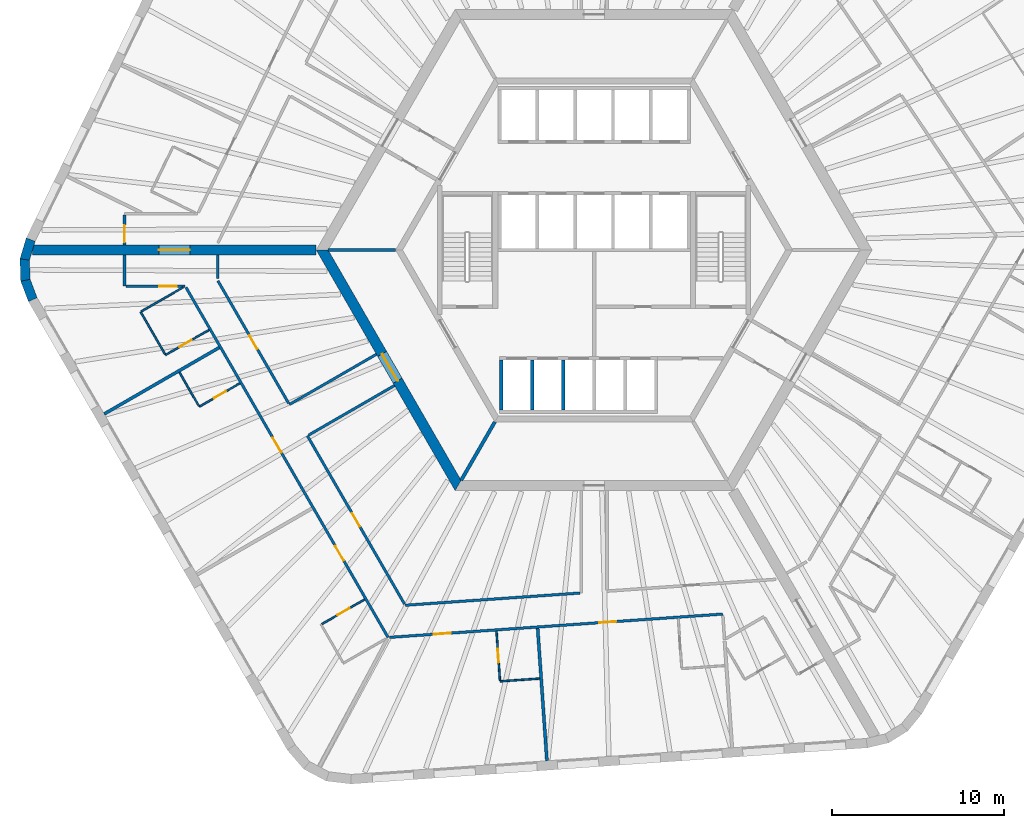
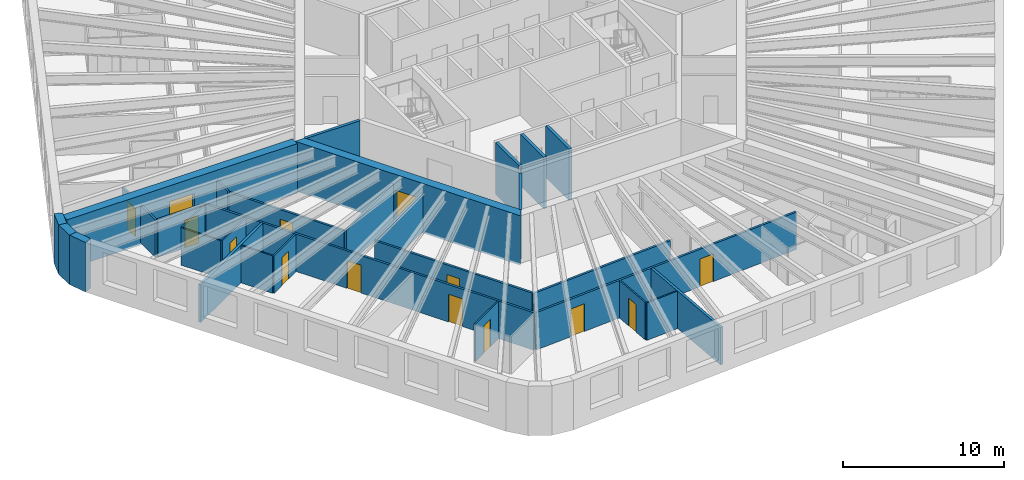
# One storey, part 3 of 12: 31 walls, 14 doors, 14 openings.
"""IFC4 building model written with IfcOpenShell, lengths in metres."""

from ifc_helpers import new_model, si_unit, direction, frame, frame_2d, origin, place, context, subcontext, project, spatial, polyline, rectangle, outline, extrude, material, layer, layer_set, type_object, element, fill, save


model = new_model("IFC4")

# Units and contexts
model_context = context("Model", 3, precision=1e-05, world=origin(), true_north=direction((0.0, 1.0)))
body_context = subcontext(model_context, "Body", "Model", "MODEL_VIEW")
ifc_project = project(units=[si_unit("LENGTHUNIT", "METRE"), si_unit("AREAUNIT", "SQUARE_METRE"), si_unit("VOLUMEUNIT", "CUBIC_METRE"), si_unit("PLANEANGLEUNIT", "RADIAN"), si_unit("MASSUNIT", "GRAM", prefix="KILO")], contexts=[model_context])

# Site, building, storey
site_placement = place(None, origin())
site = spatial("IfcSite", under=ifc_project, at=site_placement, CompositionType="ELEMENT")
building_placement = place(site_placement, origin())
building = spatial("IfcBuilding", under=site, at=building_placement, Name="Tarnside Tower", CompositionType="ELEMENT")
storey_placement = place(building_placement, frame((0.0, 0.0, 142.800048828125)))
storey = spatial("IfcBuildingStorey", under=building, at=storey_placement, Name="L33", CompositionType="ELEMENT", Elevation=142.800048828125)

# Wall, opening, door
ifc_material_1 = material(Name="Gypsum board partition on steel studs", Category="steel")
ifc_layer_1 = layer(ifc_material_1, 0.10009765625)
ifc_layer_set_1 = layer_set([ifc_layer_1], Name="Bathroom wall 100")
wall_type_1 = type_object("IfcWallType", Name="Bathroom wall 100", PredefinedType="PARTITIONING", material=ifc_layer_set_1)
wall_1_placement = place(storey_placement, frame((-22.40185546875, -4.64892578125, 0.0), z_axis=(0.0, 0.0, 1.0), x_axis=(-0.865989585315, -0.500062034277, 0.0)))
wall_1 = element("IfcWall", 1, at=wall_1_placement, inside=storey, type_object=wall_type_1, Name="Bathroom wall 10109", PredefinedType="PARTITIONING", context=body_context, shape_type="SweptSolid", body=[
    extrude(rectangle(XDim=2.925048828125, YDim=0.10009765625, at=frame_2d((1.46240234375, 0.0))), origin(), (0.0, 0.0, 1.0), 2.837646484375),
])
opening_1_placement = place(wall_1_placement, frame((1.175048828125, 0.0, 0.0)))
opening_1 = element("IfcOpeningElement", 2, at=opening_1_placement, cuts=wall_1, Name="Opening D-B1", PredefinedType="OPENING", context=body_context, shape_type="SweptSolid", body=[
    extrude(rectangle(XDim=0.800048828125, YDim=2.10009765625, at=frame_2d((0.39990234375, 1.050048828125))), frame((0.0, 0.06005859375, 0.0), z_axis=(0.0, -1.0, 0.0), x_axis=(1.0, 0.0, 0.0)), (0.0, 0.0, 1.0), 0.1201171875),
])
ifc_material_2 = material(Name="Timber door leaf", Category="wood")
door_type_1 = type_object("IfcDoorType", Name="Bathroom door 800", OperationType="NOTDEFINED", PredefinedType="DOOR", material=ifc_material_2)
door_1_placement = place(opening_1_placement, origin())
door_1 = element("IfcDoor", 3, at=door_1_placement, inside=storey, type_object=door_type_1, Name="Bathroom door 10018", OperationType="SINGLE_SWING_LEFT", OverallHeight=2.10009765625, OverallWidth=0.800048828125, PredefinedType="DOOR", context=body_context, shape_type="SweptSolid", body=[
    extrude(rectangle(XDim=0.800048828125, YDim=2.10009765625, at=frame_2d((0.39990234375, 1.050048828125))), frame((0.0, 0.02490234375, 0.0), z_axis=(0.0, -1.0, 0.0), x_axis=(1.0, 0.0, 0.0)), (0.0, 0.0, 1.0), 0.050048828125),
])
fill(opening_1, door_1)

# Walls
wall_2_placement = place(storey_placement, frame((-24.9599609375, -6.068115234375, 0.0), z_axis=(0.0, 0.0, 1.0), x_axis=(-0.500036373335, 0.866004402611, 0.0)))
element("IfcWall", 4, at=wall_2_placement, inside=storey, type_object=wall_type_1, Name="Bathroom wall 10110", PredefinedType="PARTITIONING", context=body_context, shape_type="SweptSolid", body=[
    extrude(rectangle(XDim=2.849853515625, YDim=0.10009765625, at=frame_2d((1.4248046875, 0.0))), origin(), (0.0, 0.0, 1.0), 2.837646484375),
])
wall_3_placement = place(storey_placement, frame((-26.341552734375, -3.574951171875, 0.0), z_axis=(0.0, 0.0, 1.0), x_axis=(0.866034573852, 0.49998411664, 0.0)))
element("IfcWall", 5, at=wall_3_placement, inside=storey, type_object=wall_type_1, Name="Bathroom wall 10111", PredefinedType="PARTITIONING", context=body_context, shape_type="SweptSolid", body=[
    extrude(rectangle(XDim=2.7998046875, YDim=0.10009765625, at=frame_2d((1.39990234375, 0.0))), origin(), (0.0, 0.0, 1.0), 2.837646484375),
])

# Wall, opening, door
wall_4_placement = place(storey_placement, frame((-20.60888671875, -7.75439453125, 0.0), z_axis=(0.0, 0.0, 1.0), x_axis=(-0.866012511928, -0.500022328685, 0.0)))
wall_4 = element("IfcWall", 6, at=wall_4_placement, inside=storey, type_object=wall_type_1, Name="Bathroom wall 10114", PredefinedType="PARTITIONING", context=body_context, shape_type="SweptSolid", body=[
    extrude(rectangle(XDim=2.72509765625, YDim=0.10009765625, at=frame_2d((1.362548828125, 0.0))), origin(), (0.0, 0.0, 1.0), 2.837646484375),
])
opening_2_placement = place(wall_4_placement, frame((0.925048828125, 0.0, 0.0)))
opening_2 = element("IfcOpeningElement", 7, at=opening_2_placement, cuts=wall_4, Name="Opening D-B1", PredefinedType="OPENING", context=body_context, shape_type="SweptSolid", body=[
    extrude(rectangle(XDim=0.800048828125, YDim=2.10009765625, at=frame_2d((0.39990234375, 1.050048828125))), frame((0.0, 0.06005859375, 0.0), z_axis=(0.0, -1.0, 0.0), x_axis=(1.0, 0.0, 0.0)), (0.0, 0.0, 1.0), 0.1201171875),
])
door_2_placement = place(opening_2_placement, origin())
door_2 = element("IfcDoor", 8, at=door_2_placement, inside=storey, type_object=door_type_1, Name="Bathroom door 10020", OperationType="SINGLE_SWING_RIGHT", OverallHeight=2.10009765625, OverallWidth=0.800048828125, PredefinedType="DOOR", context=body_context, shape_type="SweptSolid", body=[
    extrude(rectangle(XDim=0.800048828125, YDim=2.10009765625, at=frame_2d((0.39990234375, 1.050048828125))), frame((0.0, 0.02490234375, 0.0), z_axis=(0.0, -1.0, 0.0), x_axis=(1.0, 0.0, 0.0)), (0.0, 0.0, 1.0), 0.050048828125),
])
fill(opening_2, door_2)

# Wall
wall_5_placement = place(storey_placement, frame((-22.993896484375, -9.073486328125, 0.0), z_axis=(0.0, 0.0, 1.0), x_axis=(-0.4999967785, 0.866027263711, 0.0)))
element("IfcWall", 9, at=wall_5_placement, inside=storey, type_object=wall_type_1, Name="Bathroom wall 10115", PredefinedType="PARTITIONING", context=body_context, shape_type="SweptSolid", body=[
    extrude(rectangle(XDim=2.259765625, YDim=0.10009765625, at=frame_2d((1.1298828125, 0.0))), origin(), (0.0, 0.0, 1.0), 2.837646484375),
])

# Wall, opening, door
wall_6_placement = place(storey_placement, frame((-15.840087890625, -21.764404296875, 0.0), z_axis=(0.0, 0.0, 1.0), x_axis=(0.866039941686, 0.499974818771, 0.0)))
wall_6 = element("IfcWall", 10, at=wall_6_placement, inside=storey, type_object=wall_type_1, Name="Bathroom wall 10119", PredefinedType="PARTITIONING", context=body_context, shape_type="SweptSolid", body=[
    extrude(rectangle(XDim=2.875244140625, YDim=0.10009765625, at=frame_2d((1.4375, 0.0))), origin(), (0.0, 0.0, 1.0), 2.837646484375),
])
opening_3_placement = place(wall_6_placement, frame((1.050048828125, 0.0, 0.0)))
opening_3 = element("IfcOpeningElement", 11, at=opening_3_placement, cuts=wall_6, Name="Opening D-B1", PredefinedType="OPENING", context=body_context, shape_type="SweptSolid", body=[
    extrude(rectangle(XDim=0.800048828125, YDim=2.10009765625, at=frame_2d((0.39990234375, 1.050048828125))), frame((0.0, 0.06005859375, 0.0), z_axis=(0.0, -1.0, 0.0), x_axis=(1.0, 0.0, 0.0)), (0.0, 0.0, 1.0), 0.1201171875),
])
door_3_placement = place(opening_3_placement, origin())
door_3 = element("IfcDoor", 12, at=door_3_placement, inside=storey, type_object=door_type_1, Name="Bathroom door 10022", OperationType="SINGLE_SWING_LEFT", OverallHeight=2.10009765625, OverallWidth=0.800048828125, PredefinedType="DOOR", context=body_context, shape_type="SweptSolid", body=[
    extrude(rectangle(XDim=0.800048828125, YDim=2.10009765625, at=frame_2d((0.39990234375, 1.050048828125))), frame((0.0, 0.02490234375, 0.0), z_axis=(0.0, -1.0, 0.0), x_axis=(1.0, 0.0, 0.0)), (0.0, 0.0, 1.0), 0.050048828125),
])
fill(opening_3, door_3)

# Wall
wall_7_placement = place(storey_placement, frame((-3.169677734375, -24.931884765625, 0.0), z_axis=(0.0, 0.0, 1.0), x_axis=(-0.997564338377, -0.069752353356, 0.0)))
element("IfcWall", 13, at=wall_7_placement, inside=storey, type_object=wall_type_1, Name="Bathroom wall 10121", PredefinedType="PARTITIONING", context=body_context, shape_type="SweptSolid", body=[
    extrude(rectangle(XDim=2.31005859375, YDim=0.10009765625, at=frame_2d((1.155029296875, 0.0))), origin(), (0.0, 0.0, 1.0), 2.837646484375),
])

# Wall, opening, door
wall_8_placement = place(storey_placement, frame((-5.4775390625, -25.043212890625, 0.0), z_axis=(0.0, 0.0, 1.0), x_axis=(-0.069714207611, 0.997567004896, 0.0)))
wall_8 = element("IfcWall", 14, at=wall_8_placement, inside=storey, type_object=wall_type_1, Name="Bathroom wall 10122", PredefinedType="PARTITIONING", context=body_context, shape_type="SweptSolid", body=[
    extrude(rectangle(XDim=2.875244140625, YDim=0.10009765625, at=frame_2d((1.4375, 0.0))), origin(), (0.0, 0.0, 1.0), 2.837646484375),
])
opening_4_placement = place(wall_8_placement, frame((1.050048828125, 0.0, 0.0)))
opening_4 = element("IfcOpeningElement", 15, at=opening_4_placement, cuts=wall_8, Name="Opening D-B1", PredefinedType="OPENING", context=body_context, shape_type="SweptSolid", body=[
    extrude(rectangle(XDim=0.800048828125, YDim=2.10009765625, at=frame_2d((0.39990234375, 1.050048828125))), frame((0.0, 0.06005859375, 0.0), z_axis=(0.0, -1.0, 0.0), x_axis=(1.0, 0.0, 0.0)), (0.0, 0.0, 1.0), 0.1201171875),
])
door_4_placement = place(opening_4_placement, origin())
door_4 = element("IfcDoor", 16, at=door_4_placement, inside=storey, type_object=door_type_1, Name="Bathroom door 10024", OperationType="SINGLE_SWING_LEFT", OverallHeight=2.10009765625, OverallWidth=0.800048828125, PredefinedType="DOOR", context=body_context, shape_type="SweptSolid", body=[
    extrude(rectangle(XDim=0.800048828125, YDim=2.10009765625, at=frame_2d((0.39990234375, 1.050048828125))), frame((0.0, 0.02490234375, 0.0), z_axis=(0.0, -1.0, 0.0), x_axis=(1.0, 0.0, 0.0)), (0.0, 0.0, 1.0), 0.050048828125),
])
fill(opening_4, door_4)

ifc_material_3 = material(Name="Concrete C80/95", Category="concrete")
ifc_layer_2 = layer(ifc_material_3, 0.60009765625)
ifc_layer_set_2 = layer_set([ifc_layer_2], Name="Core wall Z1 600 C80/95")
wall_type_2 = type_object("IfcWallType", Name="Core wall Z1 600 C80/95", PredefinedType="SHEAR", material=ifc_layer_set_2)
wall_9_placement = place(storey_placement, frame((-15.8193359375, 0.0, -0.150146484375), z_axis=(0.0, 0.0, 1.0), x_axis=(0.499999880136, -0.866025472988, 0.0)))
wall_9 = element("IfcWall", 17, at=wall_9_placement, inside=storey, type_object=wall_type_2, Name="L33 core wall face 3", PredefinedType="SHEAR", context=body_context, shape_type="SweptSolid", body=[
    extrude(outline(polyline([(-0.17333984375, -0.300048828125), (15.99267578125, -0.300048828125), (15.64599609375, 0.300048828125), (0.17333984375, 0.300048828125), (-0.17333984375, -0.300048828125)])), origin(), (0.0, 0.0, 1.0), 3.75),
])
opening_5_placement = place(wall_9_placement, frame((6.980712890625, 0.0, 0.14990234375)))
opening_5 = element("IfcOpeningElement", 18, at=opening_5_placement, cuts=wall_9, Name="Opening CD-FFL", PredefinedType="OPENING", context=body_context, shape_type="SweptSolid", body=[
    extrude(rectangle(XDim=1.800048828125, YDim=2.39990234375, at=frame_2d((0.89990234375, 1.199951171875))), frame((0.0, 0.31005859375, 0.0), z_axis=(0.0, -1.0, 0.0), x_axis=(1.0, 0.0, 0.0)), (0.0, 0.0, 1.0), 0.6201171875),
])
ifc_material_4 = material(Name="Steel fire door", Category="steel")
door_type_2 = type_object("IfcDoorType", Name="Firefighting lobby double door FD60S 1800x2400", OperationType="NOTDEFINED", PredefinedType="DOOR", material=ifc_material_4)
door_5_placement = place(opening_5_placement, origin())
door_5 = element("IfcDoor", 19, at=door_5_placement, inside=storey, type_object=door_type_2, Name="L33 core door P3", OperationType="DOUBLE_DOOR_SINGLE_SWING", OverallHeight=2.39990234375, OverallWidth=1.800048828125, PredefinedType="DOOR", context=body_context, shape_type="SweptSolid", body=[
    extrude(rectangle(XDim=1.800048828125, YDim=2.39990234375, at=frame_2d((0.89990234375, 1.199951171875))), frame((0.0, 0.02490234375, 0.0), z_axis=(0.0, -1.0, 0.0), x_axis=(1.0, 0.0, 0.0)), (0.0, 0.0, 1.0), 0.050048828125),
])
fill(opening_5, door_5)

wall_10_placement = place(storey_placement, frame((-16.165771484375, 0.0, -0.150146484375), z_axis=(0.0, 0.0, 1.0), x_axis=(-1.0, 0.0, 0.0)))
wall_10 = element("IfcWall", 20, at=wall_10_placement, inside=storey, type_object=wall_type_2, Name="L33 spine wall 2", PredefinedType="SHEAR", context=body_context, shape_type="SweptSolid", body=[
    extrude(rectangle(XDim=16.509033203125, YDim=0.60009765625, at=frame_2d((8.25439453125, 0.0))), origin(), (0.0, 0.0, 1.0), 3.75),
])
opening_6_placement = place(wall_10_placement, frame((7.3544921875, 0.0, 0.14990234375)))
opening_6 = element("IfcOpeningElement", 21, at=opening_6_placement, cuts=wall_10, Name="Opening CD-SPN", PredefinedType="OPENING", context=body_context, shape_type="SweptSolid", body=[
    extrude(rectangle(XDim=1.800048828125, YDim=2.39990234375, at=frame_2d((0.89990234375, 1.199951171875))), frame((0.0, 0.31005859375, 0.0), z_axis=(0.0, -1.0, 0.0), x_axis=(1.0, 0.0, 0.0)), (0.0, 0.0, 1.0), 0.6201171875),
])
door_type_3 = type_object("IfcDoorType", Name="Spine passage double door FD60 1800x2400", OperationType="NOTDEFINED", PredefinedType="DOOR", material=ifc_material_4)
door_6_placement = place(opening_6_placement, origin())
door_6 = element("IfcDoor", 22, at=door_6_placement, inside=storey, type_object=door_type_3, Name="L33 spine passage door 2", OperationType="DOUBLE_DOOR_SINGLE_SWING", OverallHeight=2.39990234375, OverallWidth=1.800048828125, PredefinedType="DOOR", context=body_context, shape_type="SweptSolid", body=[
    extrude(rectangle(XDim=1.800048828125, YDim=2.39990234375, at=frame_2d((0.89990234375, 1.199951171875))), frame((0.0, 0.02490234375, 0.0), z_axis=(0.0, -1.0, 0.0), x_axis=(1.0, 0.0, 0.0)), (0.0, 0.0, 1.0), 0.050048828125),
])
fill(opening_6, door_6)

ifc_layer_3 = layer(ifc_material_1, 0.14990234375)
ifc_layer_set_3 = layer_set([ifc_layer_3], Name="Corridor wall 150 EI 60")
wall_type_3 = type_object("IfcWallType", Name="Corridor wall 150 EI 60", PredefinedType="PARTITIONING", material=ifc_layer_set_3)
wall_11_placement = place(storey_placement, frame((-27.3203125, 2.02490234375, 0.0), z_axis=(0.0, 0.0, 1.0), x_axis=(0.0, -1.0, 0.0)))
wall_11 = element("IfcWall", 23, at=wall_11_placement, inside=storey, type_object=wall_type_3, Name="Corridor wall 10015", PredefinedType="PARTITIONING", context=body_context, shape_type="SweptSolid", body=[
    extrude(rectangle(XDim=1.724853515625, YDim=0.14990234375, at=frame_2d((0.8623046875, 0.0))), origin(), (0.0, 0.0, 1.0), 2.837646484375),
])
opening_7_placement = place(wall_11_placement, frame((0.574951171875, 0.0, 0.0)))
opening_7 = element("IfcOpeningElement", 24, at=opening_7_placement, cuts=wall_11, Name="Opening D-E1", PredefinedType="OPENING", context=body_context, shape_type="SweptSolid", body=[
    extrude(rectangle(XDim=1.0, YDim=2.10009765625, at=frame_2d((0.5, 1.050048828125))), frame((0.0, 0.0849609375, 0.0), z_axis=(0.0, -1.0, 0.0), x_axis=(1.0, 0.0, 0.0)), (0.0, 0.0, 1.0), 0.169921875),
])
door_type_4 = type_object("IfcDoorType", Name="Unit entrance door 1000 FD30S", OperationType="NOTDEFINED", PredefinedType="DOOR", material=ifc_material_2)
door_7_placement = place(opening_7_placement, origin())
door_7 = element("IfcDoor", 25, at=door_7_placement, inside=storey, type_object=door_type_4, Name="Unit door 10016", OperationType="SINGLE_SWING_LEFT", OverallHeight=2.10009765625, OverallWidth=1.0, PredefinedType="DOOR", context=body_context, shape_type="SweptSolid", body=[
    extrude(rectangle(XDim=1.0, YDim=2.10009765625, at=frame_2d((0.5, 1.050048828125))), frame((0.0, 0.02490234375, 0.0), z_axis=(0.0, -1.0, 0.0), x_axis=(1.0, 0.0, 0.0)), (0.0, 0.0, 1.0), 0.050048828125),
])
fill(opening_7, door_7)

# Wall
wall_12_placement = place(storey_placement, frame((-27.3203125, -0.300048828125, 0.0), z_axis=(0.0, 0.0, 1.0), x_axis=(0.0, -1.0, 0.0)))
element("IfcWall", 26, at=wall_12_placement, inside=storey, type_object=wall_type_3, Name="Corridor wall 10025", PredefinedType="PARTITIONING", context=body_context, shape_type="SweptSolid", body=[
    extrude(rectangle(XDim=1.800048828125, YDim=0.14990234375, at=frame_2d((0.89990234375, 0.0))), origin(), (0.0, 0.0, 1.0), 2.837646484375),
])

# Wall, opening, door
wall_13_placement = place(storey_placement, frame((-27.245361328125, -2.10009765625, 0.0), z_axis=(0.0, 0.0, 1.0), x_axis=(1.0, 0.0, 0.0)))
wall_13 = element("IfcWall", 27, at=wall_13_placement, inside=storey, type_object=wall_type_3, Name="Corridor wall 10026", PredefinedType="PARTITIONING", context=body_context, shape_type="SweptSolid", body=[
    extrude(rectangle(XDim=3.45849609375, YDim=0.14990234375, at=frame_2d((1.729248046875, 0.0))), origin(), (0.0, 0.0, 1.0), 2.837646484375),
])
opening_8_placement = place(wall_13_placement, frame((1.95849609375, 0.0, 0.0)))
opening_8 = element("IfcOpeningElement", 28, at=opening_8_placement, cuts=wall_13, Name="Opening D-E1", PredefinedType="OPENING", context=body_context, shape_type="SweptSolid", body=[
    extrude(rectangle(XDim=1.0, YDim=2.10009765625, at=frame_2d((0.5, 1.050048828125))), frame((0.0, 0.0849609375, 0.0), z_axis=(0.0, -1.0, 0.0), x_axis=(1.0, 0.0, 0.0)), (0.0, 0.0, 1.0), 0.169921875),
])
door_8_placement = place(opening_8_placement, origin())
door_8 = element("IfcDoor", 29, at=door_8_placement, inside=storey, type_object=door_type_4, Name="Unit door 10017", OperationType="SINGLE_SWING_LEFT", OverallHeight=2.10009765625, OverallWidth=1.0, PredefinedType="DOOR", context=body_context, shape_type="SweptSolid", body=[
    extrude(rectangle(XDim=1.0, YDim=2.10009765625, at=frame_2d((0.5, 1.050048828125))), frame((0.0, 0.02490234375, 0.0), z_axis=(0.0, -1.0, 0.0), x_axis=(1.0, 0.0, 0.0)), (0.0, 0.0, 1.0), 0.050048828125),
])
fill(opening_8, door_8)

# Wall, openings, doors
wall_14_placement = place(storey_placement, frame((-23.743408203125, -2.175048828125, 0.0), z_axis=(0.0, 0.0, 1.0), x_axis=(0.499992353047, -0.86602981871, 0.0)))
wall_14 = element("IfcWall", 30, at=wall_14_placement, inside=storey, type_object=wall_type_3, Name="Corridor wall 10027", PredefinedType="PARTITIONING", context=body_context, shape_type="SweptSolid", body=[
    extrude(rectangle(XDim=23.516357421875, YDim=0.14990234375, at=frame_2d((11.75830078125, 0.0))), origin(), (0.0, 0.0, 1.0), 2.837646484375),
])
opening_9_placement = place(wall_14_placement, frame((10.09912109375, 0.0, 0.0)))
opening_9 = element("IfcOpeningElement", 31, at=opening_9_placement, cuts=wall_14, Name="Opening D-E1", PredefinedType="OPENING", context=body_context, shape_type="SweptSolid", body=[
    extrude(rectangle(XDim=1.0, YDim=2.10009765625, at=frame_2d((0.5, 1.050048828125))), frame((0.0, 0.0849609375, 0.0), z_axis=(0.0, -1.0, 0.0), x_axis=(1.0, 0.0, 0.0)), (0.0, 0.0, 1.0), 0.169921875),
])
opening_10_placement = place(wall_14_placement, frame((17.35791015625, 0.0, 0.0)))
opening_10 = element("IfcOpeningElement", 32, at=opening_10_placement, cuts=wall_14, Name="Opening D-E1", PredefinedType="OPENING", context=body_context, shape_type="SweptSolid", body=[
    extrude(rectangle(XDim=1.0, YDim=2.10009765625, at=frame_2d((0.5, 1.050048828125))), frame((0.0, 0.0849609375, 0.0), z_axis=(0.0, -1.0, 0.0), x_axis=(1.0, 0.0, 0.0)), (0.0, 0.0, 1.0), 0.169921875),
])
door_9_placement = place(opening_9_placement, origin())
door_9 = element("IfcDoor", 33, at=door_9_placement, inside=storey, type_object=door_type_4, Name="Unit door 10019", OperationType="SINGLE_SWING_LEFT", OverallHeight=2.10009765625, OverallWidth=1.0, PredefinedType="DOOR", context=body_context, shape_type="SweptSolid", body=[
    extrude(rectangle(XDim=1.0, YDim=2.10009765625, at=frame_2d((0.5, 1.050048828125))), frame((0.0, 0.02490234375, 0.0), z_axis=(0.0, -1.0, 0.0), x_axis=(1.0, 0.0, 0.0)), (0.0, 0.0, 1.0), 0.050048828125),
])
fill(opening_9, door_9)
door_10_placement = place(opening_10_placement, origin())
door_10 = element("IfcDoor", 34, at=door_10_placement, inside=storey, type_object=door_type_4, Name="Unit door 10021", OperationType="SINGLE_SWING_RIGHT", OverallHeight=2.10009765625, OverallWidth=1.0, PredefinedType="DOOR", context=body_context, shape_type="SweptSolid", body=[
    extrude(rectangle(XDim=1.0, YDim=2.10009765625, at=frame_2d((0.5, 1.050048828125))), frame((0.0, 0.02490234375, 0.0), z_axis=(0.0, -1.0, 0.0), x_axis=(1.0, 0.0, 0.0)), (0.0, 0.0, 1.0), 0.050048828125),
])
fill(opening_10, door_10)

wall_15_placement = place(storey_placement, frame((-11.902099609375, -22.53515625, 0.0), z_axis=(0.0, 0.0, 1.0), x_axis=(0.997563830208, 0.069759620556, 0.0)))
wall_15 = element("IfcWall", 35, at=wall_15_placement, inside=storey, type_object=wall_type_3, Name="Corridor wall 10033", PredefinedType="PARTITIONING", context=body_context, shape_type="SweptSolid", body=[
    extrude(rectangle(XDim=19.43408203125, YDim=0.14990234375, at=frame_2d((9.717041015625, 0.0))), origin(), (0.0, 0.0, 1.0), 2.837646484375),
])
opening_11_placement = place(wall_15_placement, frame((2.5751953125, 0.0, 0.0)))
opening_11 = element("IfcOpeningElement", 36, at=opening_11_placement, cuts=wall_15, Name="Opening D-E1", PredefinedType="OPENING", context=body_context, shape_type="SweptSolid", body=[
    extrude(rectangle(XDim=1.0, YDim=2.10009765625, at=frame_2d((0.5, 1.050048828125))), frame((0.0, 0.0849609375, 0.0), z_axis=(0.0, -1.0, 0.0), x_axis=(1.0, 0.0, 0.0)), (0.0, 0.0, 1.0), 0.169921875),
])
opening_12_placement = place(wall_15_placement, frame((12.23388671875, 0.0, 0.0)))
opening_12 = element("IfcOpeningElement", 37, at=opening_12_placement, cuts=wall_15, Name="Opening D-E1", PredefinedType="OPENING", context=body_context, shape_type="SweptSolid", body=[
    extrude(rectangle(XDim=1.0, YDim=2.10009765625, at=frame_2d((0.5, 1.050048828125))), frame((0.0, 0.0849609375, 0.0), z_axis=(0.0, -1.0, 0.0), x_axis=(1.0, 0.0, 0.0)), (0.0, 0.0, 1.0), 0.169921875),
])
door_11_placement = place(opening_11_placement, origin())
door_11 = element("IfcDoor", 38, at=door_11_placement, inside=storey, type_object=door_type_4, Name="Unit door 10023", OperationType="SINGLE_SWING_RIGHT", OverallHeight=2.10009765625, OverallWidth=1.0, PredefinedType="DOOR", context=body_context, shape_type="SweptSolid", body=[
    extrude(rectangle(XDim=1.0, YDim=2.10009765625, at=frame_2d((0.5, 1.050048828125))), frame((0.0, 0.02490234375, 0.0), z_axis=(0.0, -1.0, 0.0), x_axis=(1.0, 0.0, 0.0)), (0.0, 0.0, 1.0), 0.050048828125),
])
fill(opening_11, door_11)
door_12_placement = place(opening_12_placement, origin())
door_12 = element("IfcDoor", 39, at=door_12_placement, inside=storey, type_object=door_type_4, Name="Unit door 10025", OperationType="SINGLE_SWING_LEFT", OverallHeight=2.10009765625, OverallWidth=1.0, PredefinedType="DOOR", context=body_context, shape_type="SweptSolid", body=[
    extrude(rectangle(XDim=1.0, YDim=2.10009765625, at=frame_2d((0.5, 1.050048828125))), frame((0.0, 0.02490234375, 0.0), z_axis=(0.0, -1.0, 0.0), x_axis=(1.0, 0.0, 0.0)), (0.0, 0.0, 1.0), 0.050048828125),
])
fill(opening_12, door_12)

# Wall
wall_16_placement = place(storey_placement, frame((-12.663818359375, -6.065673828125, 0.0), z_axis=(0.0, 0.0, 1.0), x_axis=(-0.866018092707, -0.500012662943, 0.0)))
element("IfcWall", 40, at=wall_16_placement, inside=storey, type_object=wall_type_3, Name="Corridor wall 10042", PredefinedType="PARTITIONING", context=body_context, shape_type="SweptSolid", body=[
    extrude(rectangle(XDim=5.849853515625, YDim=0.14990234375, at=frame_2d((2.9248046875, 0.0))), origin(), (0.0, 0.0, 1.0), 2.837646484375),
])

# Wall, opening, door
wall_17_placement = place(storey_placement, frame((-17.767578125, -8.92578125, 0.0), z_axis=(0.0, 0.0, 1.0), x_axis=(-0.499997033681, 0.866027116383, 0.0)))
wall_17 = element("IfcWall", 41, at=wall_17_placement, inside=storey, type_object=wall_type_3, Name="Corridor wall 10043", PredefinedType="PARTITIONING", context=body_context, shape_type="SweptSolid", body=[
    extrude(rectangle(XDim=8.2353515625, YDim=0.14990234375, at=frame_2d((4.11767578125, 0.0))), origin(), (0.0, 0.0, 1.0), 2.837646484375),
])
opening_13_placement = place(wall_17_placement, frame((3.667724609375, 0.0, 0.0)))
opening_13 = element("IfcOpeningElement", 42, at=opening_13_placement, cuts=wall_17, Name="Opening D-S1", PredefinedType="OPENING", context=body_context, shape_type="SweptSolid", body=[
    extrude(rectangle(XDim=0.89990234375, YDim=2.10009765625, at=frame_2d((0.449951171875, 1.050048828125))), frame((0.0, 0.0849609375, 0.0), z_axis=(0.0, -1.0, 0.0), x_axis=(1.0, 0.0, 0.0)), (0.0, 0.0, 1.0), 0.169921875),
])
door_type_5 = type_object("IfcDoorType", Name="Service room door 900 FD30S", OperationType="NOTDEFINED", PredefinedType="DOOR", material=ifc_material_2)
door_13_placement = place(opening_13_placement, origin())
door_13 = element("IfcDoor", 43, at=door_13_placement, inside=storey, type_object=door_type_5, Name="Service door 10045", OperationType="SINGLE_SWING_RIGHT", OverallHeight=2.10009765625, OverallWidth=0.89990234375, PredefinedType="DOOR", context=body_context, shape_type="SweptSolid", body=[
    extrude(rectangle(XDim=0.89990234375, YDim=2.10009765625, at=frame_2d((0.449951171875, 1.050048828125))), frame((0.0, 0.02490234375, 0.0), z_axis=(0.0, -1.0, 0.0), x_axis=(1.0, 0.0, 0.0)), (0.0, 0.0, 1.0), 0.050048828125),
])
fill(opening_13, door_13)

# Walls
wall_18_placement = place(storey_placement, frame((-21.88525390625, -1.643798828125, 0.0), z_axis=(0.0, 0.0, 1.0), x_axis=(0.0, 1.0, 0.0)))
element("IfcWall", 44, at=wall_18_placement, inside=storey, type_object=wall_type_3, Name="Corridor wall 10044", PredefinedType="PARTITIONING", context=body_context, shape_type="SweptSolid", body=[
    extrude(rectangle(XDim=1.34375, YDim=0.14990234375, at=frame_2d((0.671875, 0.0))), origin(), (0.0, 0.0, 1.0), 2.837646484375),
])
wall_19_placement = place(storey_placement, frame((-0.824951171875, -19.9560546875, 0.0), z_axis=(0.0, 0.0, 1.0), x_axis=(-0.997562587881, -0.069777383582, 0.0)))
element("IfcWall", 45, at=wall_19_placement, inside=storey, type_object=wall_type_3, Name="Corridor wall 10046", PredefinedType="PARTITIONING", context=body_context, shape_type="SweptSolid", body=[
    extrude(rectangle(XDim=10.188720703125, YDim=0.14990234375, at=frame_2d((5.09423828125, 0.0))), origin(), (0.0, 0.0, 1.0), 2.837646484375),
])

# Wall, opening, door
wall_20_placement = place(storey_placement, frame((-11.030517578125, -20.5947265625, 0.0), z_axis=(0.0, 0.0, 1.0), x_axis=(-0.499987422378, 0.866032665356, 0.0)))
wall_20 = element("IfcWall", 46, at=wall_20_placement, inside=storey, type_object=wall_type_3, Name="Corridor wall 10047", PredefinedType="PARTITIONING", context=body_context, shape_type="SweptSolid", body=[
    extrude(rectangle(XDim=11.299072265625, YDim=0.14990234375, at=frame_2d((5.6494140625, 0.0))), origin(), (0.0, 0.0, 1.0), 2.837646484375),
])
opening_14_placement = place(wall_20_placement, frame((5.199462890625, 0.0, 0.0)))
opening_14 = element("IfcOpeningElement", 47, at=opening_14_placement, cuts=wall_20, Name="Opening D-S1", PredefinedType="OPENING", context=body_context, shape_type="SweptSolid", body=[
    extrude(rectangle(XDim=0.89990234375, YDim=2.10009765625, at=frame_2d((0.449951171875, 1.050048828125))), frame((0.0, 0.0849609375, 0.0), z_axis=(0.0, -1.0, 0.0), x_axis=(1.0, 0.0, 0.0)), (0.0, 0.0, 1.0), 0.169921875),
])
door_14_placement = place(opening_14_placement, origin())
door_14 = element("IfcDoor", 48, at=door_14_placement, inside=storey, type_object=door_type_5, Name="Service door 10046", OperationType="SINGLE_SWING_RIGHT", OverallHeight=2.10009765625, OverallWidth=0.89990234375, PredefinedType="DOOR", context=body_context, shape_type="SweptSolid", body=[
    extrude(rectangle(XDim=0.89990234375, YDim=2.10009765625, at=frame_2d((0.449951171875, 1.050048828125))), frame((0.0, 0.02490234375, 0.0), z_axis=(0.0, -1.0, 0.0), x_axis=(1.0, 0.0, 0.0)), (0.0, 0.0, 1.0), 0.050048828125),
])
fill(opening_14, door_14)

# Walls
wall_21_placement = place(storey_placement, frame((-16.614990234375, -10.771728515625, 0.0), z_axis=(0.0, 0.0, 1.0), x_axis=(0.866025774745, 0.499999357477, 0.0)))
element("IfcWall", 49, at=wall_21_placement, inside=storey, type_object=wall_type_3, Name="Corridor wall 10048", PredefinedType="PARTITIONING", context=body_context, shape_type="SweptSolid", body=[
    extrude(rectangle(XDim=5.77490234375, YDim=0.14990234375, at=frame_2d((2.887451171875, 0.0))), origin(), (0.0, 0.0, 1.0), 2.837646484375),
])
ifc_layer_4 = layer(ifc_material_1, 0.179931640625)
ifc_layer_set_4 = layer_set([ifc_layer_4], Name="Demising wall 180 EI 60")
wall_type_4 = type_object("IfcWallType", Name="Demising wall 180 EI 60", PredefinedType="PARTITIONING", material=ifc_layer_set_4)
for number, where, z_axis, x_axis, name in (
    (50, (-28.4990234375, -9.538330078125, 0.0), (0.0, 0.0, 1.0), (0.866040859435, 0.499973229072, 0.0), "Demising wall 10112"),
    (51, (-2.7451171875, -29.7138671875, 0.0), (0.0, 0.0, 1.0), (-0.069748931501, 0.997564577636, 0.0), "Demising wall 10123"),
):
    element("IfcWall", number, at=place(storey_placement, frame(where, z_axis=z_axis, x_axis=x_axis)), inside=storey, type_object=wall_type_4, Name=name, PredefinedType="PARTITIONING", context=body_context, shape_type="SweptSolid", body=[
        extrude(rectangle(XDim=7.72509765625, YDim=0.179931640625, at=frame_2d((3.862548828125, 0.0))), origin(), (0.0, 0.0, 1.0), 2.837646484375),
    ])
ifc_material_5 = material(Name="Concrete C40/50", Category="concrete")
ifc_layer_5 = layer(ifc_material_5, 0.199951171875)
ifc_layer_set_5 = layer_set([ifc_layer_5], Name="Lift shaft wall 200 C40/50")
wall_type_5 = type_object("IfcWallType", Name="Lift shaft wall 200 C40/50", PredefinedType="SHEAR", material=ifc_layer_set_5)
for number, where, z_axis, x_axis, name in (
    (52, (-5.39990234375, -9.300048828125, -0.25), (0.0, 0.0, 1.0), (0.0, 1.0, 0.0), "L33 lift shaft partition R41"),
    (53, (-3.60009765625, -9.300048828125, -0.25), (0.0, 0.0, 1.0), (0.0, 1.0, 0.0), "L33 lift shaft partition R42"),
    (54, (-1.800048828125, -9.300048828125, -0.25), (0.0, 0.0, 1.0), (0.0, 1.0, 0.0), "L33 lift shaft partition R43"),
):
    element("IfcWall", number, at=place(storey_placement, frame(where, z_axis=z_axis, x_axis=x_axis)), inside=storey, type_object=wall_type_5, Name=name, PredefinedType="SHEAR", context=body_context, shape_type="SweptSolid", body=[
        extrude(rectangle(XDim=2.900146484375, YDim=0.199951171875, at=frame_2d((1.4501953125, 0.0))), origin(), (0.0, 0.0, 1.0), 3.89990234375),
    ])
wall_22_placement = place(storey_placement, frame((-11.547119140625, 0.0, -0.150146484375), z_axis=(0.0, 0.0, 1.0), x_axis=(-1.0, 0.0, 0.0)))
element("IfcWall", 55, at=wall_22_placement, inside=storey, type_object=wall_type_5, Name="L33 core partition AR180", PredefinedType="SHEAR", context=body_context, shape_type="SweptSolid", body=[
    extrude(rectangle(XDim=3.92578125, YDim=0.199951171875, at=frame_2d((1.962890625, 0.0))), origin(), (0.0, 0.0, 1.0), 3.75),
])
wall_23_placement = place(storey_placement, frame((-5.7734375, -10.0, -0.150146484375), z_axis=(0.0, 0.0, 1.0), x_axis=(-0.500038251005, -0.86600331843, 0.0)))
element("IfcWall", 56, at=wall_23_placement, inside=storey, type_object=wall_type_5, Name="L33 core partition AR240", PredefinedType="SHEAR", context=body_context, shape_type="SweptSolid", body=[
    extrude(rectangle(XDim=3.926025390625, YDim=0.199951171875, at=frame_2d((1.962890625, 0.0))), origin(), (0.0, 0.0, 1.0), 3.75),
])
ifc_material_6 = material(Name="Facing brick", Category="masonry")
ifc_layer_6 = layer(ifc_material_6, 0.10205078125)
ifc_material_7 = material(Name="Concrete C60/75 precast", Category="concrete")
ifc_layer_7 = layer(ifc_material_7, 0.347900390625)
ifc_material_8 = material(Name="Mineral wool insulation")
ifc_layer_8 = layer(ifc_material_8, 0.10009765625)
ifc_layer_set_6 = layer_set([ifc_layer_6, ifc_layer_7, ifc_layer_8], Name="Tube wall 550 brick faced")
wall_type_6 = type_object("IfcWallType", Name="Tube wall 550 brick faced", PredefinedType="SOLIDWALL", material=ifc_layer_set_6)
wall_24_placement = place(storey_placement, frame((-32.77685546875, 0.605224609375, -0.150146484375), z_axis=(0.0, 0.0, 1.0), x_axis=(-0.286921497463, -0.957954098219, 0.0)))
element("IfcWall", 57, at=wall_24_placement, inside=storey, type_object=wall_type_6, Name="Tube wall L33 F2 chord 05", PredefinedType="SOLIDWALL", context=body_context, shape_type="SweptSolid", body=[
    extrude(outline(polyline([(-0.0224609375, -0.27490234375), (1.25341796875, -0.27490234375), (1.1630859375, 0.27490234375), (0.0224609375, 0.27490234375), (-0.0224609375, -0.27490234375)])), origin(), (0.0, 0.0, 1.0), 3.75),
])
wall_25_placement = place(storey_placement, frame((-33.12353515625, -0.55224609375, -0.150146484375), z_axis=(0.0, 0.0, 1.0), x_axis=(0.03495638276, -0.999388838893, 0.0)))
element("IfcWall", 58, at=wall_25_placement, inside=storey, type_object=wall_type_6, Name="Tube wall L33 F2 chord 06", PredefinedType="SOLIDWALL", context=body_context, shape_type="SweptSolid", body=[
    extrude(outline(polyline([(-0.045166015625, -0.27490234375), (1.25341796875, -0.27490234375), (1.1630859375, 0.27490234375), (0.045166015625, 0.27490234375), (-0.045166015625, -0.27490234375)])), origin(), (0.0, 0.0, 1.0), 3.75),
])
wall_26_placement = place(storey_placement, frame((-33.081298828125, -1.759765625, -0.150146484375), z_axis=(0.0, 0.0, 1.0), x_axis=(0.353027214741, -0.935613053378, 0.0)))
element("IfcWall", 59, at=wall_26_placement, inside=storey, type_object=wall_type_6, Name="Tube wall L33 F2 chord 07", PredefinedType="SOLIDWALL", context=body_context, shape_type="SweptSolid", body=[
    extrude(outline(polyline([(-0.045166015625, -0.27490234375), (1.230712890625, -0.27490234375), (1.185791015625, 0.27490234375), (0.045166015625, 0.27490234375), (-0.045166015625, -0.27490234375)])), origin(), (0.0, 0.0, 1.0), 3.75),
])

save(model, "model.ifc")
